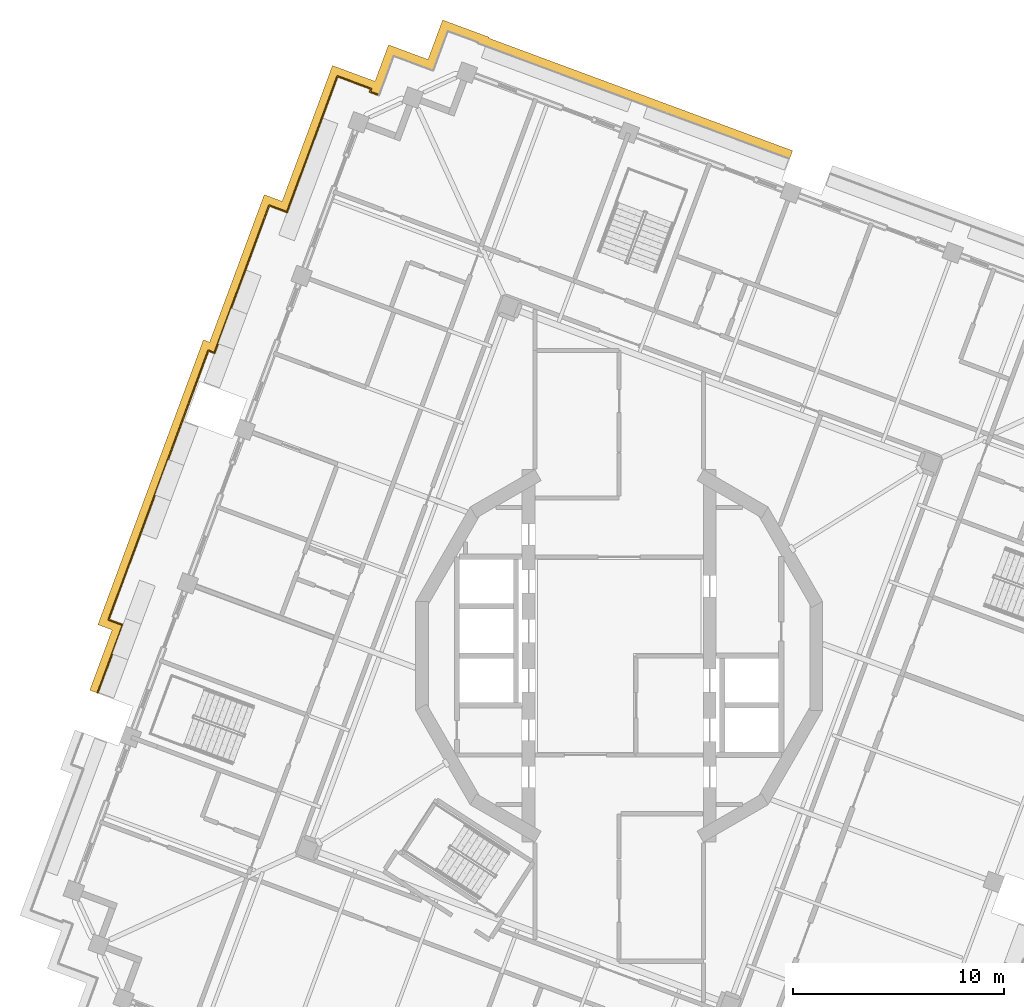
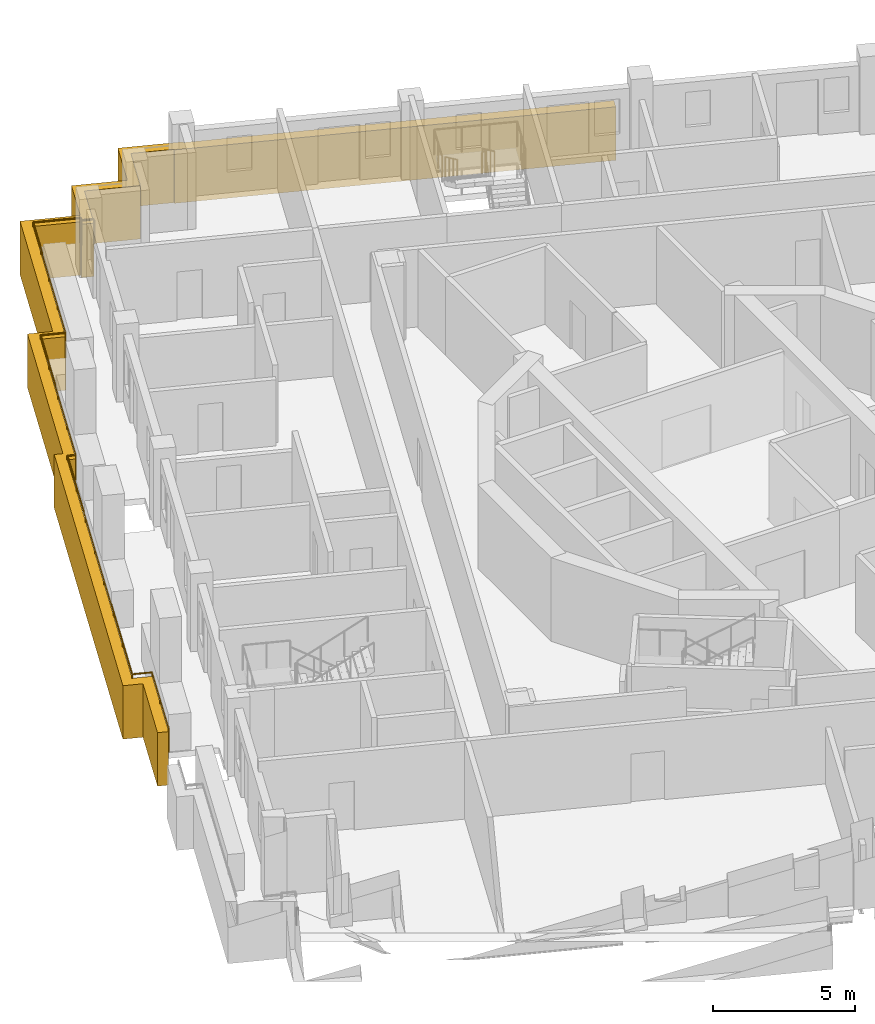
# One storey, part 16 of 19: 1 covering, 1 railing.
"""IFC4 building model written with IfcOpenShell, lengths in metres."""

import ifcopenshell
import ifcopenshell.guid

model = None  # the IFC model being written
_history = None  # IfcOwnerHistory: only IFC2X3 demands one
_inside = {}  # id of a spatial element -> (the spatial element, [elements in it])
_under = {}  # id of a project, library or spatial element -> (it, [spatial elements below it])
_declared = {}  # id of a project -> (the project, [libraries it declares])
_typed = {}  # id of a type object -> (the type object, [elements of that type])
_made_of = {}  # id of a material, layer set ... -> (it, [elements and type objects made of it])


def new_model(schema):
    """Start an empty IFC model of exactly this schema.

    Asked for "IFC4X3", IfcOpenShell would pick the latest addendum, in which some entities
    have other attributes; the version numbers below select the first issue.
    IFC2X3 requires an IfcOwnerHistory on every rooted entity: one is made here for all.
    """
    global model, _history
    if schema == "IFC4X3":
        model = ifcopenshell.file(schema_version=(4, 3, 0, 0))
    else:
        model = ifcopenshell.file(schema=schema)
    _inside.clear()
    _under.clear()
    _declared.clear()
    _typed.clear()
    _made_of.clear()
    _history = None
    if model.schema == "IFC2X3":
        org = make("IfcOrganization", Name="unknown")
        user = make(
            "IfcPersonAndOrganization",
            ThePerson=make("IfcPerson", FamilyName="unknown"),
            TheOrganization=org,
        )
        app = make(
            "IfcApplication",
            ApplicationDeveloper=org,
            Version="unknown",
            ApplicationFullName="unknown",
            ApplicationIdentifier="unknown",
        )
        _history = make(
            "IfcOwnerHistory",
            OwningUser=user,
            OwningApplication=app,
            ChangeAction="ADDED",
            CreationDate=0,
        )
    return model


def make(cls, **values):
    """One entity of the class cls with the attributes given. An attribute that is None is left unset."""
    return model.create_entity(
        cls, **{name: value for name, value in values.items() if value is not None}
    )


def rooted(cls, **values):
    """An entity with a GlobalId (a new one), such as an element, a storey or a relation."""
    return make(cls, GlobalId=ifcopenshell.guid.new(), OwnerHistory=_history, **values)


def si_unit(unit_type, name, prefix=None):
    """IfcSIUnit, for example si_unit("LENGTHUNIT", "METRE", prefix="MILLI")."""
    return make("IfcSIUnit", UnitType=unit_type, Prefix=prefix, Name=name)


def assignment(units):
    """IfcUnitAssignment: the units of a project."""
    return None if units is None else make("IfcUnitAssignment", Units=units)


def point(xyz):
    """IfcCartesianPoint."""
    return None if xyz is None else make("IfcCartesianPoint", Coordinates=xyz)


def direction(xyz):
    """IfcDirection."""
    return None if xyz is None else make("IfcDirection", DirectionRatios=xyz)


def frame(location, z_axis=None, x_axis=None):
    """IfcAxis2Placement3D, a coordinate frame: its origin and axes. An axis left out is left unset."""
    return make(
        "IfcAxis2Placement3D",
        Location=point(location),
        Axis=direction(z_axis),
        RefDirection=direction(x_axis),
    )


def frame_2d(location, x_axis=None):
    """IfcAxis2Placement2D, a coordinate frame in the plane: its origin and x axis."""
    return make(
        "IfcAxis2Placement2D", Location=point(location), RefDirection=direction(x_axis)
    )


def origin():
    """The frame at (0, 0, 0) with its axes left unset."""
    return frame((0.0, 0.0, 0.0))


def origin_2d():
    """The frame at (0, 0) in the plane with its x axis left unset."""
    return frame_2d((0.0, 0.0))


def place(relative_to, where):
    """IfcLocalPlacement: puts the frame where relative to a parent placement (None: the world)."""
    return make(
        "IfcLocalPlacement", PlacementRelTo=relative_to, RelativePlacement=where
    )


def context(
    kind, dimensions, precision=None, world=None, true_north=None, identifier=None
):
    """IfcGeometricRepresentationContext, for example the 3D "Model" context."""
    return make(
        "IfcGeometricRepresentationContext",
        ContextIdentifier=identifier,
        ContextType=kind,
        CoordinateSpaceDimension=dimensions,
        Precision=precision,
        WorldCoordinateSystem=world,
        TrueNorth=true_north,
    )


def subcontext(parent, identifier, kind, view, scale=None):
    """IfcGeometricRepresentationSubContext, for example "Body" below "Model"."""
    return make(
        "IfcGeometricRepresentationSubContext",
        ContextIdentifier=identifier,
        ContextType=kind,
        ParentContext=parent,
        TargetScale=scale,
        TargetView=view,
    )


def project(units=None, contexts=None):
    """IfcProject with its units and contexts."""
    return rooted(
        "IfcProject",
        Name="project",
        RepresentationContexts=contexts,
        UnitsInContext=assignment(units),
    )


def spatial(cls, under=None, at=None, **own):
    """A site, building, storey or space (cls), placed at a placement, below another one or the project."""
    s = rooted(cls, ObjectPlacement=at, **own)
    if under is not None:
        _under.setdefault(under.id(), (under, []))[1].append(s)
    return s


def polyline(points):
    """IfcPolyline through the points."""
    return make("IfcPolyline", Points=[point(p) for p in points])


def profile(cls, at=None, kind="AREA", **sizes):
    """A parametric profile (cls). Its sizes go by their IFC names, for example OverallWidth=200.0."""
    return make(cls, ProfileType=kind, Position=at, **sizes)


def circle(**sizes):
    """IfcCircleProfileDef."""
    return profile("IfcCircleProfileDef", **sizes)


def outline(outer, holes=None, kind="AREA"):
    """IfcArbitraryClosedProfileDef: a profile drawn as a closed curve; with holes, ...WithVoids."""
    if holes is None:
        return make("IfcArbitraryClosedProfileDef", ProfileType=kind, OuterCurve=outer)
    return make(
        "IfcArbitraryProfileDefWithVoids",
        ProfileType=kind,
        OuterCurve=outer,
        InnerCurves=holes,
    )


def extrude(swept, where, along, depth):
    """IfcExtrudedAreaSolid: the profile swept, set in the frame where, extruded along a direction by depth."""
    return make(
        "IfcExtrudedAreaSolid",
        SweptArea=swept,
        Position=where,
        ExtrudedDirection=direction(along),
        Depth=depth,
    )


def shape(context_of_items, identifier, shape_type, items):
    """IfcShapeRepresentation: the items that make up one representation, for example the "Body"."""
    return make(
        "IfcShapeRepresentation",
        ContextOfItems=context_of_items,
        RepresentationIdentifier=identifier,
        RepresentationType=shape_type,
        Items=items,
    )


def material(Name=None, Category=None):
    """IfcMaterial."""
    return make("IfcMaterial", Name=Name, Category=Category)


def made_of(thing, what):
    """Note that an element or type object is made of a material, layer set ...; save() writes the relation."""
    if what is not None:
        _made_of.setdefault(what.id(), (what, []))[1].append(thing)
    return thing


def type_object(cls, material=None, **own):
    """A type object (cls), such as IfcWallType, which elements share."""
    return made_of(rooted(cls, **own), material)


def element(
    cls,
    number,
    at=None,
    inside=None,
    cuts=None,
    type_object=None,
    material=None,
    context=None,
    identifier="Body",
    shape_type=None,
    held_by="IfcProductDefinitionShape",
    body=None,
    shapes=None,
    **own,
):
    """One element of the class cls, such as IfcWall. Its Tag is "e" and its number.

    at: its placement. inside: the storey or other place that contains it. cuts: it is an
    opening in that element (IfcRelVoidsElement). A single representation is given by context,
    identifier, shape_type and body (its items); several are given by shapes. held_by: the class
    of the entity that holds the representations. save() writes the other relations.
    """
    e = rooted(cls, Tag="e%d" % number, ObjectPlacement=at, **own)
    if body is not None:
        shapes = [shape(context, identifier, shape_type, body)]
    if shapes is not None:
        e.Representation = make(held_by, Representations=shapes)
    if inside is not None:
        _inside.setdefault(inside.id(), (inside, []))[1].append(e)
    if cuts is not None:
        rooted(
            "IfcRelVoidsElement", RelatingBuildingElement=cuts, RelatedOpeningElement=e
        )
    if type_object is not None:
        _typed.setdefault(type_object.id(), (type_object, []))[1].append(e)
    return made_of(e, material)


def aggregate(whole, parts):
    """IfcRelAggregates: a whole, such as a stair, and the parts it consists of."""
    return rooted("IfcRelAggregates", RelatingObject=whole, RelatedObjects=parts)


def save(model, path):
    """Write the relations noted so far, then the file.

    IfcRelAggregates (storeys below a building ...), IfcRelContainedInSpatialStructure (elements
    in a storey), IfcRelDefinesByType, IfcRelAssociatesMaterial and IfcRelDeclares: one each for
    every whole, place, type object, material and project.
    """
    for whole, parts in _under.values():
        aggregate(whole, parts)
    for where, things in _inside.values():
        rooted(
            "IfcRelContainedInSpatialStructure",
            RelatedElements=things,
            RelatingStructure=where,
        )
    for kind, things in _typed.values():
        rooted("IfcRelDefinesByType", RelatedObjects=things, RelatingType=kind)
    for what, things in _made_of.values():
        rooted("IfcRelAssociatesMaterial", RelatedObjects=things, RelatingMaterial=what)
    for by, libraries in _declared.values():
        rooted("IfcRelDeclares", RelatingContext=by, RelatedDefinitions=libraries)
    model.write(path)


model = new_model("IFC4")

# Units and contexts
model_context = context("Model", 3, precision=1e-05, world=origin(), true_north=direction((0.0, 1.0)))
body_context = subcontext(model_context, "Body", "Model", "MODEL_VIEW")
ifc_project = project(units=[si_unit("LENGTHUNIT", "METRE"), si_unit("AREAUNIT", "SQUARE_METRE"), si_unit("VOLUMEUNIT", "CUBIC_METRE"), si_unit("PLANEANGLEUNIT", "RADIAN"), si_unit("MASSUNIT", "GRAM", prefix="KILO")], contexts=[model_context])

# Site, building, storey
site_placement = place(None, origin())
site = spatial("IfcSite", under=ifc_project, at=site_placement, CompositionType="ELEMENT")
building_placement = place(site_placement, origin())
building = spatial("IfcBuilding", under=site, at=building_placement, Name="Cantera Rosa Tower", CompositionType="ELEMENT")
storey_placement = place(building_placement, frame((0.0, 0.0, 327.699951171875)))
storey = spatial("IfcBuildingStorey", under=building, at=storey_placement, Name="L73", CompositionType="ELEMENT", Elevation=327.699951171875)

# Railing
ifc_material_1 = material(Name="Stainless steel and laminated glass", Category="steel")
railing_type = type_object("IfcRailingType", Name="GUARD 1100", PredefinedType="BALUSTRADE", material=ifc_material_1)
railing_placement = place(storey_placement, frame((-24.750244140625, -1.748779296875, 0.0)))
element("IfcRailing", 1, at=railing_placement, inside=storey, type_object=railing_type, Name="GUARD L73-6", PredefinedType="BALUSTRADE", context=body_context, shape_type="SweptSolid", body=[
    extrude(circle(Radius=0.030029296875, at=origin_2d()), frame((0.0, 0.0, 1.070068359375), z_axis=(0.347455720104, 0.937696391465, 0.0), x_axis=(-0.937696391465, 0.347455720104, 0.0)), (0.0, 0.0, 1.0), 3.43115234375),
    extrude(circle(Radius=0.030029296875, at=origin_2d()), frame((1.192138671875, 3.21728515625, 1.070068359375), z_axis=(-0.937662671744, 0.347546707679, 0.0), x_axis=(-0.347546707679, -0.937662671744, 0.0)), (0.0, 0.0, 1.0), 0.718505859375),
    extrude(circle(Radius=0.030029296875, at=origin_2d()), frame((0.518310546875, 3.467041015625, 1.070068359375), z_axis=(0.347474337492, 0.937689492734, 0.0), x_axis=(-0.937689492734, 0.347474337492, 0.0)), (0.0, 0.0, 1.0), 13.6181640625),
    extrude(circle(Radius=0.030029296875, at=origin_2d()), frame((5.250244140625, 16.236572265625, 1.070068359375), z_axis=(0.937570310623, -0.347795791576, 0.0), x_axis=(0.347795791576, 0.937570310623, 0.0)), (0.0, 0.0, 1.0), 0.313720703125),
    extrude(circle(Radius=0.030029296875, at=origin_2d()), frame((5.54443359375, 16.12744140625, 1.070068359375), z_axis=(0.347483678672, 0.937686031173, 0.0), x_axis=(-0.937686031173, 0.347483678672, 0.0)), (0.0, 0.0, 1.0), 7.466552734375),
    extrude(circle(Radius=0.030029296875, at=origin_2d()), frame((8.138916015625, 23.128662109375, 1.070068359375), z_axis=(0.937641368545, -0.34760417718, 0.0), x_axis=(0.34760417718, 0.937641368545, 0.0)), (0.0, 0.0, 1.0), 0.9052734375),
    extrude(circle(Radius=0.030029296875, at=origin_2d()), frame((8.98779296875, 22.81396484375, 1.070068359375), z_axis=(0.347493627455, 0.937682344335, 0.0), x_axis=(-0.937682344335, 0.347493627455, 0.0)), (0.0, 0.0, 1.0), 6.874755859375),
    extrude(circle(Radius=0.030029296875, at=origin_2d()), frame((11.376708984375, 29.26025390625, 1.070068359375), z_axis=(0.93766211216, -0.347548217403, 0.0), x_axis=(0.347548217403, 0.93766211216, 0.0)), (0.0, 0.0, 1.0), 1.699951171875),
    extrude(circle(Radius=0.030029296875, at=origin_2d()), frame((12.970703125, 28.66943359375, 1.070068359375), z_axis=(-0.348345544994, -0.937366193802, 0.0), x_axis=(0.937366193802, -0.348345544994, 0.0)), (0.0, 0.0, 1.0), 0.154296875),
    extrude(circle(Radius=0.030029296875, at=origin_2d()), frame((12.9169921875, 28.52490234375, 1.070068359375), z_axis=(0.937800612421, -0.34717432414, 0.0), x_axis=(0.34717432414, 0.937800612421, 0.0)), (0.0, 0.0, 1.0), 0.454345703125),
    extrude(circle(Radius=0.02490234375, at=origin_2d()), origin(), (0.0, 0.0, 1.0), 1.0400390625),
    extrude(circle(Radius=0.02490234375, at=origin_2d()), frame((0.59619140625, 1.608642578125, 0.0)), (0.0, 0.0, 1.0), 1.0400390625),
    extrude(circle(Radius=0.02490234375, at=origin_2d()), frame((1.192138671875, 3.21728515625, 0.0)), (0.0, 0.0, 1.0), 1.0400390625),
    extrude(circle(Radius=0.02490234375, at=origin_2d()), frame((0.518310546875, 3.467041015625, 0.0)), (0.0, 0.0, 1.0), 1.0400390625),
    extrude(circle(Radius=0.02490234375, at=origin_2d()), frame((1.1943359375, 5.291259765625, 0.0)), (0.0, 0.0, 1.0), 1.0400390625),
    extrude(circle(Radius=0.02490234375, at=origin_2d()), frame((1.870361328125, 7.115478515625, 0.0)), (0.0, 0.0, 1.0), 1.0400390625),
    extrude(circle(Radius=0.02490234375, at=origin_2d()), frame((2.54638671875, 8.939697265625, 0.0)), (0.0, 0.0, 1.0), 1.0400390625),
    extrude(circle(Radius=0.02490234375, at=origin_2d()), frame((3.22216796875, 10.763916015625, 0.0)), (0.0, 0.0, 1.0), 1.0400390625),
    extrude(circle(Radius=0.02490234375, at=origin_2d()), frame((3.898193359375, 12.588134765625, 0.0)), (0.0, 0.0, 1.0), 1.0400390625),
    extrude(circle(Radius=0.02490234375, at=origin_2d()), frame((4.57421875, 14.412353515625, 0.0)), (0.0, 0.0, 1.0), 1.0400390625),
    extrude(circle(Radius=0.02490234375, at=origin_2d()), frame((5.250244140625, 16.236572265625, 0.0)), (0.0, 0.0, 1.0), 1.0400390625),
    extrude(circle(Radius=0.02490234375, at=origin_2d()), frame((5.54443359375, 16.12744140625, 0.0)), (0.0, 0.0, 1.0), 1.0400390625),
    extrude(circle(Radius=0.02490234375, at=origin_2d()), frame((6.193115234375, 17.877685546875, 0.0)), (0.0, 0.0, 1.0), 1.0400390625),
    extrude(circle(Radius=0.02490234375, at=origin_2d()), frame((6.841796875, 19.6279296875, 0.0)), (0.0, 0.0, 1.0), 1.0400390625),
    extrude(circle(Radius=0.02490234375, at=origin_2d()), frame((7.490234375, 21.37841796875, 0.0)), (0.0, 0.0, 1.0), 1.0400390625),
    extrude(circle(Radius=0.02490234375, at=origin_2d()), frame((8.138916015625, 23.128662109375, 0.0)), (0.0, 0.0, 1.0), 1.0400390625),
    extrude(circle(Radius=0.02490234375, at=origin_2d()), frame((8.98779296875, 22.81396484375, 0.0)), (0.0, 0.0, 1.0), 1.0400390625),
    extrude(circle(Radius=0.02490234375, at=origin_2d()), frame((9.5849609375, 24.425537109375, 0.0)), (0.0, 0.0, 1.0), 1.0400390625),
    extrude(circle(Radius=0.02490234375, at=origin_2d()), frame((10.18212890625, 26.037109375, 0.0)), (0.0, 0.0, 1.0), 1.0400390625),
    extrude(circle(Radius=0.02490234375, at=origin_2d()), frame((10.779541015625, 27.648681640625, 0.0)), (0.0, 0.0, 1.0), 1.0400390625),
    extrude(circle(Radius=0.02490234375, at=origin_2d()), frame((11.376708984375, 29.26025390625, 0.0)), (0.0, 0.0, 1.0), 1.0400390625),
    extrude(circle(Radius=0.02490234375, at=origin_2d()), frame((12.970703125, 28.66943359375, 0.0)), (0.0, 0.0, 1.0), 1.0400390625),
    extrude(circle(Radius=0.02490234375, at=origin_2d()), frame((12.9169921875, 28.52490234375, 0.0)), (0.0, 0.0, 1.0), 1.0400390625),
    extrude(circle(Radius=0.02490234375, at=origin_2d()), frame((13.343017578125, 28.3671875, 0.0)), (0.0, 0.0, 1.0), 1.0400390625),
])

# Covering
ifc_material_2 = material(Name="Cantera stone", Category="masonry")
covering_type = type_object("IfcCoveringType", Name="TRAY FASCIA 400", PredefinedType="CLADDING", material=ifc_material_2)
covering_placement = place(storey_placement, frame((0.0, 0.0, -1.39990234375)))
element("IfcCovering", 2, at=covering_placement, inside=storey, type_object=covering_type, Name="TRAY FASCIA L73-02", PredefinedType="CLADDING", context=body_context, shape_type="SweptSolid", body=[
    extrude(outline(polyline([(-24.072021484375, 1.232421875), (-24.74609375, 1.482177734375), (-19.736083984375, 15.001708984375), (-19.44189453125, 14.892822265625), (-16.847412109375, 21.893798828125), (-15.99853515625, 21.579345703125), (-13.609619140625, 28.025390625), (-11.58984375, 27.27685546875), (-10.948486328125, 29.0078125), (-9.123779296875, 28.33154296875), (-9.072998046875, 28.312744140625), (-8.378173828125, 30.188232421875), (-6.178466796875, 29.373046875), (-6.1943359375, 29.330078125), (-0.286865234375, 27.140869140625), (2.526123046875, 26.098388671875), (7.402099609375, 24.29150390625), (8.236572265625, 23.982421875), (8.09765625, 23.607177734375), (7.26318359375, 23.91650390625), (2.38720703125, 25.723388671875), (-0.426025390625, 26.765869140625), (-6.70849609375, 29.093994140625), (-6.6923828125, 29.136962890625), (-8.14208984375, 29.674072265625), (-8.8369140625, 27.798583984375), (-9.262939453125, 27.95654296875), (-10.71240234375, 28.49365234375), (-11.24951171875, 27.044189453125), (-11.4072265625, 26.618408203125), (-11.833251953125, 26.776123046875), (-11.779541015625, 26.920654296875), (-13.37353515625, 27.511474609375), (-15.762451171875, 21.065185546875), (-16.611328125, 21.3798828125), (-19.205810546875, 14.378662109375), (-19.5, 14.48779296875), (-24.23193359375, 1.71826171875), (-23.55810546875, 1.468505859375), (-24.757080078125, -1.767578125), (-25.13232421875, -1.62841796875), (-24.072021484375, 1.232421875)])), origin(), (0.0, 0.0, 1.0), 2.300048828125),
])

save(model, "model.ifc")
